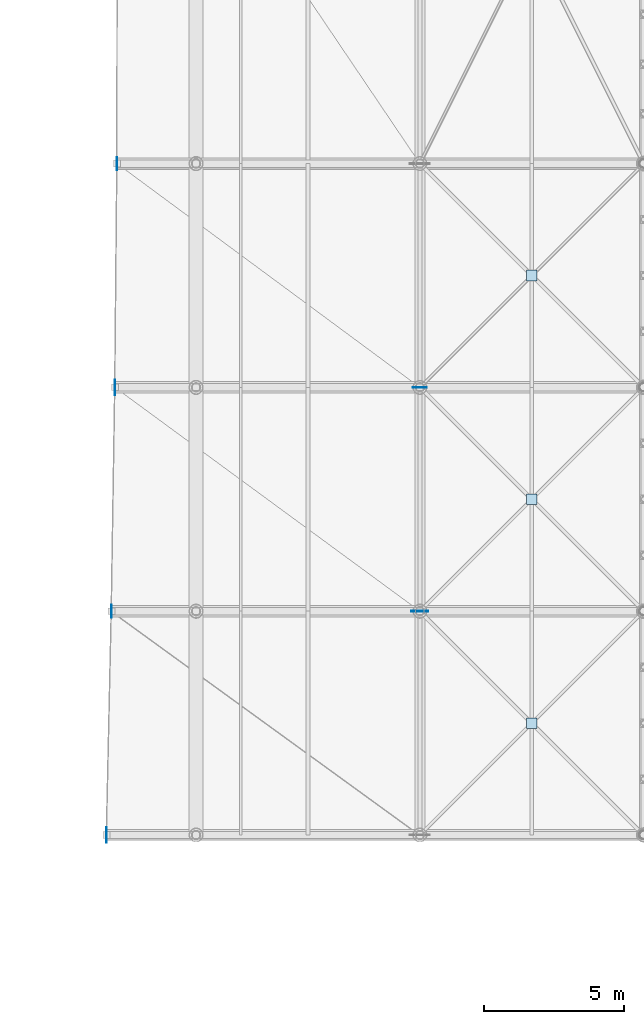
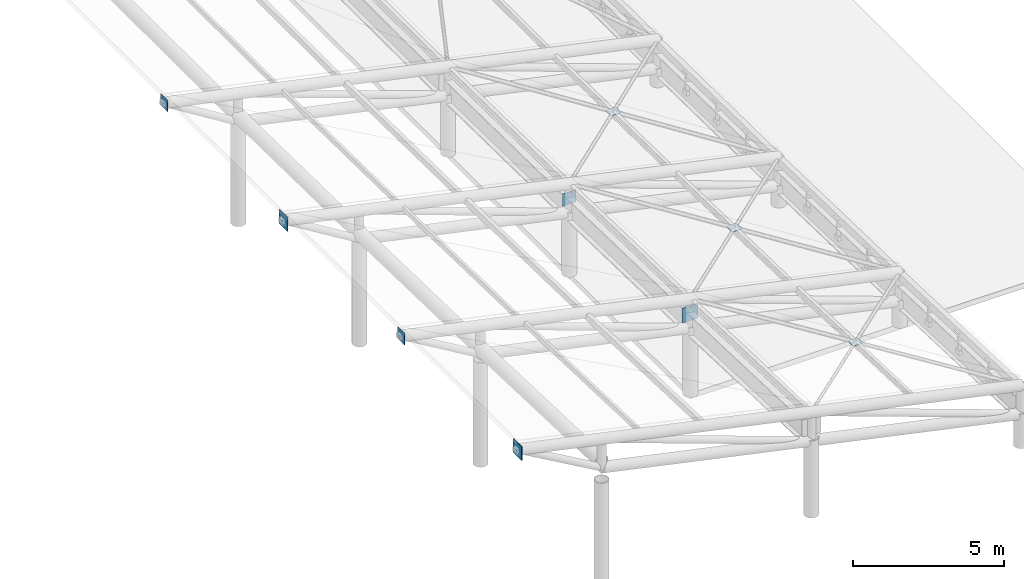
# One storey, part 29 of 41: 9 plates.
"""IFC4 building model written with IfcOpenShell, lengths in metres."""

from ifc_helpers import new_model, si_unit, direction, frame, origin, origin_2d, place, context, subcontext, project, spatial, rectangle, extrude, material, layer, layer_set, type_object, element, save


model = new_model("IFC4")

# Units and contexts
model_context = context("Model", 3, precision=1e-05, world=origin(), true_north=direction((0.0, 1.0)))
body_context = subcontext(model_context, "Body", "Model", "MODEL_VIEW")
ifc_project = project(units=[si_unit("LENGTHUNIT", "METRE"), si_unit("AREAUNIT", "SQUARE_METRE"), si_unit("VOLUMEUNIT", "CUBIC_METRE"), si_unit("PLANEANGLEUNIT", "RADIAN"), si_unit("MASSUNIT", "GRAM", prefix="KILO")], contexts=[model_context])

# Site, building, storey
site_placement = place(None, origin())
site = spatial("IfcSite", under=ifc_project, at=site_placement, CompositionType="ELEMENT")
building_placement = place(site_placement, origin())
building = spatial("IfcBuilding", under=site, at=building_placement, Name="Haebicheon Civic Stadium", CompositionType="ELEMENT")
storey_placement = place(building_placement, frame((0.0, 0.0, 27.0)))
storey = spatial("IfcBuildingStorey", under=building, at=storey_placement, Name="L07", CompositionType="ELEMENT", Elevation=27.0)

# Plates
ifc_material_1 = material(Name="White painted steel SM490", Category="steel")
ifc_layer_1 = layer(ifc_material_1, 0.02001953125, Name="White painted steel SM490")
ifc_layer_set_1 = layer_set([ifc_layer_1], Name="White painted steel SM490")
plate_type_1 = type_object("IfcPlateType", Name="PLT-CAP-20", PredefinedType="SHEET", material=ifc_layer_set_1)
for number, where, z_axis, x_axis, name in (
    (1, (132.97509765625, 56.0, 5.9580078125), (0.0, 0.0, 1.0), (0.0, 1.0, 0.0), "CAN-EAST tip end-cap plate 2"),
    (2, (133.175048828125, 72.0, 5.5849609375), (0.0, 0.0, 1.0), (0.0, 1.0, 0.0), "CAN-EAST tip end-cap plate 4"),
):
    element("IfcPlate", number, at=place(storey_placement, frame(where, z_axis=z_axis, x_axis=x_axis)), inside=storey, type_object=plate_type_1, material=ifc_layer_set_1, Name=name, PredefinedType="SHEET", context=body_context, shape_type="SweptSolid", body=[
        extrude(rectangle(XDim=0.4599609375, YDim=0.02001953125, at=origin_2d()), origin(), (0.0, 0.0, 1.0), 0.4599609375),
    ])
ifc_material_2 = material(Name="White painted steel SM490", Category="steel")
ifc_layer_2 = layer(ifc_material_2, 0.02587890625, Name="White painted steel SM490")
ifc_layer_set_2 = layer_set([ifc_layer_2], Name="White painted steel SM490")
plate_type_2 = type_object("IfcPlateType", Name="PLT-CAP-26", PredefinedType="SHEET", material=ifc_layer_set_2)
for number, where, z_axis, x_axis, name in (
    (3, (132.800048828125, 48.0, 6.23486328125), (0.0, 0.0, 1.0), (0.0, 1.0, 0.0), "CAN-EAST tip end-cap plate 1"),
    (4, (133.10009765625, 64.0, 5.675048828125), (0.0, 0.0, 1.0), (0.0, 1.0, 0.0), "CAN-EAST tip end-cap plate 3"),
):
    element("IfcPlate", number, at=place(storey_placement, frame(where, z_axis=z_axis, x_axis=x_axis)), inside=storey, type_object=plate_type_2, material=ifc_layer_set_2, Name=name, PredefinedType="SHEET", context=body_context, shape_type="SweptSolid", body=[
        extrude(rectangle(XDim=0.56005859375, YDim=0.02587890625, at=origin_2d()), origin(), (0.0, 0.0, 1.0), 0.56005859375),
    ])
ifc_material_3 = material(Name="White painted steel SM490", Category="steel")
ifc_layer_3 = layer(ifc_material_3, 0.01806640625, Name="White painted steel SM490")
ifc_layer_set_3 = layer_set([ifc_layer_3], Name="White painted steel SM490")
plate_type_3 = type_object("IfcPlateType", Name="PLT-GUS-18", PredefinedType="USERDEFINED", material=ifc_layer_set_3)
plate_1_placement = place(storey_placement, frame((144.0, 64.0, 2.787109375), z_axis=(0.0, 0.0, 1.0), x_axis=(1.0, 0.0, 0.0)))
element("IfcPlate", 5, at=plate_1_placement, inside=storey, type_object=plate_type_3, material=ifc_layer_set_3, Name="CAN-EAST heel node gusset plate KN-T03", ObjectType="GUSSET PLATE", PredefinedType="USERDEFINED", context=body_context, shape_type="SweptSolid", body=[
    extrude(rectangle(XDim=0.5, YDim=0.01806640625, at=origin_2d()), origin(), (0.0, 0.0, 1.0), 0.5),
])
ifc_material_4 = material(Name="White painted steel SM490", Category="steel")
ifc_layer_4 = layer(ifc_material_4, 0.02392578125, Name="White painted steel SM490")
ifc_layer_set_4 = layer_set([ifc_layer_4], Name="White painted steel SM490")
plate_type_4 = type_object("IfcPlateType", Name="PLT-GUS-24", PredefinedType="USERDEFINED", material=ifc_layer_set_4)
plate_2_placement = place(storey_placement, frame((144.0, 56.0, 2.94287109375), z_axis=(0.0, 0.0, 1.0), x_axis=(1.0, 0.0, 0.0)))
element("IfcPlate", 6, at=plate_2_placement, inside=storey, type_object=plate_type_4, material=ifc_layer_set_4, Name="CAN-EAST heel node gusset plate KN-T02", ObjectType="GUSSET PLATE", PredefinedType="USERDEFINED", context=body_context, shape_type="SweptSolid", body=[
    extrude(rectangle(XDim=0.60009765625, YDim=0.02392578125, at=origin_2d()), origin(), (0.0, 0.0, 1.0), 0.60009765625),
])
ifc_material_5 = material(Name="White painted steel SM490", Category="steel")
ifc_layer_5 = layer(ifc_material_5, 0.013916015625, Name="White painted steel SM490")
ifc_layer_set_5 = layer_set([ifc_layer_5], Name="White painted steel SM490")
plate_type_5 = type_object("IfcPlateType", Name="PLT-XND-14", PredefinedType="SHEET", material=ifc_layer_set_5)
for number, where, z_axis, x_axis, name in (
    (7, (148.0, 52.0, 3.09521484375), (0.0, 0.0, 1.0), (1.0, 0.0, 0.0), "CAN-EAST X-brace crossing gusset plate 1"),
    (8, (148.0, 60.0, 2.84814453125), (0.0, 0.0, 1.0), (1.0, 0.0, 0.0), "CAN-EAST X-brace crossing gusset plate 2"),
    (9, (148.0, 68.0, 2.68310546875), (0.0, 0.0, 1.0), (1.0, 0.0, 0.0), "CAN-EAST X-brace crossing gusset plate 3"),
):
    element("IfcPlate", number, at=place(storey_placement, frame(where, z_axis=z_axis, x_axis=x_axis)), inside=storey, type_object=plate_type_5, material=ifc_layer_set_5, Name=name, PredefinedType="SHEET", context=body_context, shape_type="SweptSolid", body=[
        extrude(rectangle(XDim=0.3798828125, YDim=0.3798828125, at=origin_2d()), origin(), (0.0, 0.0, 1.0), 0.013916015625),
    ])

save(model, "model.ifc")
